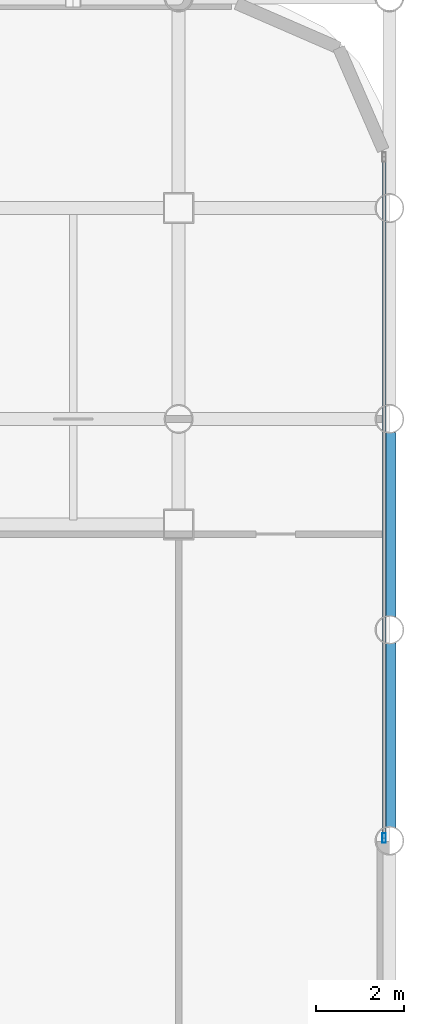
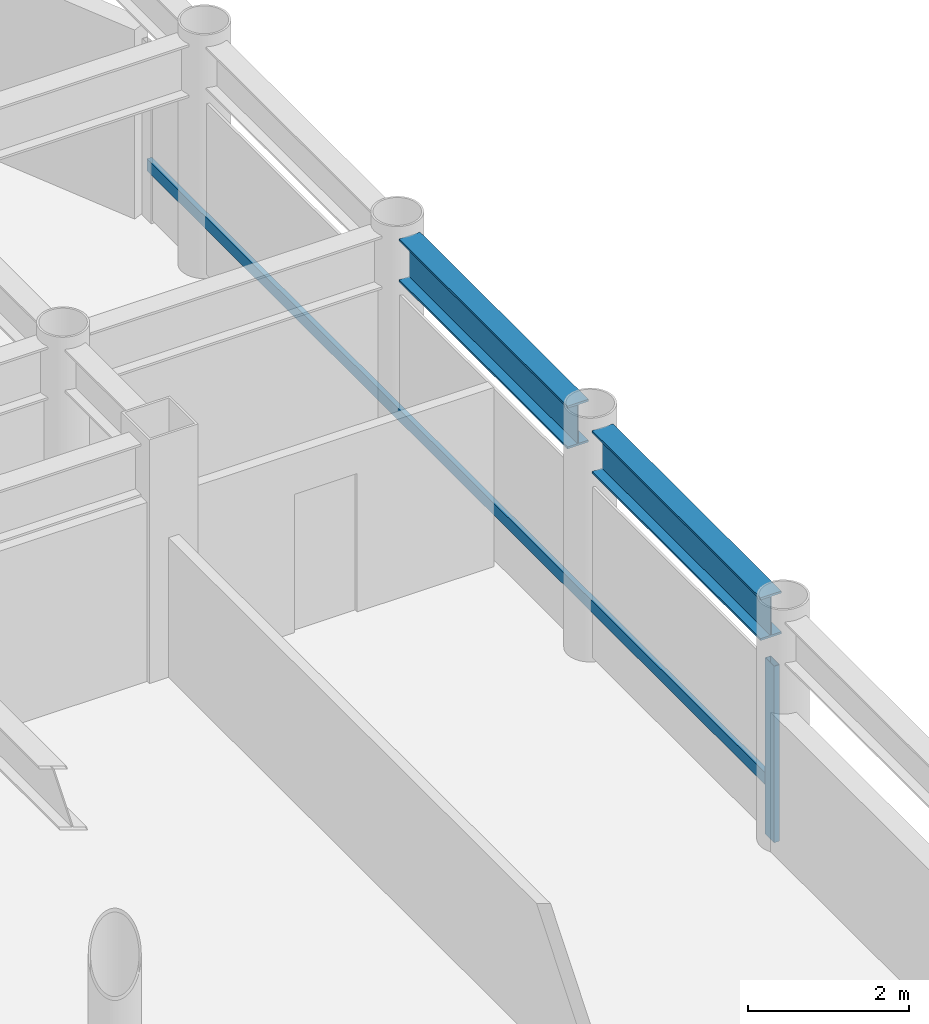
# One storey, part 8 of 20: 2 beams, 2 members, 1 element without a shape of its own.
"""IFC4 building model written with IfcOpenShell, lengths in metres."""

import ifcopenshell
import ifcopenshell.guid

model = None  # the IFC model being written
_history = None  # IfcOwnerHistory: only IFC2X3 demands one
_inside = {}  # id of a spatial element -> (the spatial element, [elements in it])
_under = {}  # id of a project, library or spatial element -> (it, [spatial elements below it])
_declared = {}  # id of a project -> (the project, [libraries it declares])
_typed = {}  # id of a type object -> (the type object, [elements of that type])
_made_of = {}  # id of a material, layer set ... -> (it, [elements and type objects made of it])


def new_model(schema):
    """Start an empty IFC model of exactly this schema.

    Asked for "IFC4X3", IfcOpenShell would pick the latest addendum, in which some entities
    have other attributes; the version numbers below select the first issue.
    IFC2X3 requires an IfcOwnerHistory on every rooted entity: one is made here for all.
    """
    global model, _history
    if schema == "IFC4X3":
        model = ifcopenshell.file(schema_version=(4, 3, 0, 0))
    else:
        model = ifcopenshell.file(schema=schema)
    _inside.clear()
    _under.clear()
    _declared.clear()
    _typed.clear()
    _made_of.clear()
    _history = None
    if model.schema == "IFC2X3":
        org = make("IfcOrganization", Name="unknown")
        user = make(
            "IfcPersonAndOrganization",
            ThePerson=make("IfcPerson", FamilyName="unknown"),
            TheOrganization=org,
        )
        app = make(
            "IfcApplication",
            ApplicationDeveloper=org,
            Version="unknown",
            ApplicationFullName="unknown",
            ApplicationIdentifier="unknown",
        )
        _history = make(
            "IfcOwnerHistory",
            OwningUser=user,
            OwningApplication=app,
            ChangeAction="ADDED",
            CreationDate=0,
        )
    return model


def make(cls, **values):
    """One entity of the class cls with the attributes given. An attribute that is None is left unset."""
    return model.create_entity(
        cls, **{name: value for name, value in values.items() if value is not None}
    )


def rooted(cls, **values):
    """An entity with a GlobalId (a new one), such as an element, a storey or a relation."""
    return make(cls, GlobalId=ifcopenshell.guid.new(), OwnerHistory=_history, **values)


def si_unit(unit_type, name, prefix=None):
    """IfcSIUnit, for example si_unit("LENGTHUNIT", "METRE", prefix="MILLI")."""
    return make("IfcSIUnit", UnitType=unit_type, Prefix=prefix, Name=name)


def assignment(units):
    """IfcUnitAssignment: the units of a project."""
    return None if units is None else make("IfcUnitAssignment", Units=units)


def point(xyz):
    """IfcCartesianPoint."""
    return None if xyz is None else make("IfcCartesianPoint", Coordinates=xyz)


def direction(xyz):
    """IfcDirection."""
    return None if xyz is None else make("IfcDirection", DirectionRatios=xyz)


def frame(location, z_axis=None, x_axis=None):
    """IfcAxis2Placement3D, a coordinate frame: its origin and axes. An axis left out is left unset."""
    return make(
        "IfcAxis2Placement3D",
        Location=point(location),
        Axis=direction(z_axis),
        RefDirection=direction(x_axis),
    )


def frame_2d(location, x_axis=None):
    """IfcAxis2Placement2D, a coordinate frame in the plane: its origin and x axis."""
    return make(
        "IfcAxis2Placement2D", Location=point(location), RefDirection=direction(x_axis)
    )


def origin():
    """The frame at (0, 0, 0) with its axes left unset."""
    return frame((0.0, 0.0, 0.0))


def origin_2d():
    """The frame at (0, 0) in the plane with its x axis left unset."""
    return frame_2d((0.0, 0.0))


def place(relative_to, where):
    """IfcLocalPlacement: puts the frame where relative to a parent placement (None: the world)."""
    return make(
        "IfcLocalPlacement", PlacementRelTo=relative_to, RelativePlacement=where
    )


def context(
    kind, dimensions, precision=None, world=None, true_north=None, identifier=None
):
    """IfcGeometricRepresentationContext, for example the 3D "Model" context."""
    return make(
        "IfcGeometricRepresentationContext",
        ContextIdentifier=identifier,
        ContextType=kind,
        CoordinateSpaceDimension=dimensions,
        Precision=precision,
        WorldCoordinateSystem=world,
        TrueNorth=true_north,
    )


def subcontext(parent, identifier, kind, view, scale=None):
    """IfcGeometricRepresentationSubContext, for example "Body" below "Model"."""
    return make(
        "IfcGeometricRepresentationSubContext",
        ContextIdentifier=identifier,
        ContextType=kind,
        ParentContext=parent,
        TargetScale=scale,
        TargetView=view,
    )


def project(units=None, contexts=None):
    """IfcProject with its units and contexts."""
    return rooted(
        "IfcProject",
        Name="project",
        RepresentationContexts=contexts,
        UnitsInContext=assignment(units),
    )


def spatial(cls, under=None, at=None, **own):
    """A site, building, storey or space (cls), placed at a placement, below another one or the project."""
    s = rooted(cls, ObjectPlacement=at, **own)
    if under is not None:
        _under.setdefault(under.id(), (under, []))[1].append(s)
    return s


def profile(cls, at=None, kind="AREA", **sizes):
    """A parametric profile (cls). Its sizes go by their IFC names, for example OverallWidth=200.0."""
    return make(cls, ProfileType=kind, Position=at, **sizes)


def hollow_rectangle(**sizes):
    """IfcRectangleHollowProfileDef."""
    return profile("IfcRectangleHollowProfileDef", **sizes)


def i_section(**sizes):
    """IfcIShapeProfileDef."""
    return profile("IfcIShapeProfileDef", **sizes)


def extrude(swept, where, along, depth):
    """IfcExtrudedAreaSolid: the profile swept, set in the frame where, extruded along a direction by depth."""
    return make(
        "IfcExtrudedAreaSolid",
        SweptArea=swept,
        Position=where,
        ExtrudedDirection=direction(along),
        Depth=depth,
    )


def shape(context_of_items, identifier, shape_type, items):
    """IfcShapeRepresentation: the items that make up one representation, for example the "Body"."""
    return make(
        "IfcShapeRepresentation",
        ContextOfItems=context_of_items,
        RepresentationIdentifier=identifier,
        RepresentationType=shape_type,
        Items=items,
    )


def material(Name=None, Category=None):
    """IfcMaterial."""
    return make("IfcMaterial", Name=Name, Category=Category)


def layer(
    of_material, thickness, ventilated=None, Name=None, Category=None, Priority=None
):
    """IfcMaterialLayer: one layer of a wall or slab, of a material (None: an air gap)."""
    return make(
        "IfcMaterialLayer",
        Material=of_material,
        LayerThickness=thickness,
        IsVentilated=ventilated,
        Name=Name,
        Category=Category,
        Priority=Priority,
    )


def layer_set(layers, Name=None):
    """IfcMaterialLayerSet."""
    return make("IfcMaterialLayerSet", MaterialLayers=layers, LayerSetName=Name)


def material_profile(
    of_material, cross_section, Name=None, Category=None, Priority=None
):
    """IfcMaterialProfile: a cross section and its material."""
    return make(
        "IfcMaterialProfile",
        Name=Name,
        Material=of_material,
        Profile=cross_section,
        Priority=Priority,
        Category=Category,
    )


def profile_set(profiles, Name=None, composite=None):
    """IfcMaterialProfileSet."""
    return make(
        "IfcMaterialProfileSet",
        Name=Name,
        MaterialProfiles=profiles,
        CompositeProfile=composite,
    )


def made_of(thing, what):
    """Note that an element or type object is made of a material, layer set ...; save() writes the relation."""
    if what is not None:
        _made_of.setdefault(what.id(), (what, []))[1].append(thing)
    return thing


def type_object(cls, material=None, **own):
    """A type object (cls), such as IfcWallType, which elements share."""
    return made_of(rooted(cls, **own), material)


def element(
    cls,
    number,
    at=None,
    inside=None,
    cuts=None,
    type_object=None,
    material=None,
    context=None,
    identifier="Body",
    shape_type=None,
    held_by="IfcProductDefinitionShape",
    body=None,
    shapes=None,
    **own,
):
    """One element of the class cls, such as IfcWall. Its Tag is "e" and its number.

    at: its placement. inside: the storey or other place that contains it. cuts: it is an
    opening in that element (IfcRelVoidsElement). A single representation is given by context,
    identifier, shape_type and body (its items); several are given by shapes. held_by: the class
    of the entity that holds the representations. save() writes the other relations.
    """
    e = rooted(cls, Tag="e%d" % number, ObjectPlacement=at, **own)
    if body is not None:
        shapes = [shape(context, identifier, shape_type, body)]
    if shapes is not None:
        e.Representation = make(held_by, Representations=shapes)
    if inside is not None:
        _inside.setdefault(inside.id(), (inside, []))[1].append(e)
    if cuts is not None:
        rooted(
            "IfcRelVoidsElement", RelatingBuildingElement=cuts, RelatedOpeningElement=e
        )
    if type_object is not None:
        _typed.setdefault(type_object.id(), (type_object, []))[1].append(e)
    return made_of(e, material)


def aggregate(whole, parts):
    """IfcRelAggregates: a whole, such as a stair, and the parts it consists of."""
    return rooted("IfcRelAggregates", RelatingObject=whole, RelatedObjects=parts)


def save(model, path):
    """Write the relations noted so far, then the file.

    IfcRelAggregates (storeys below a building ...), IfcRelContainedInSpatialStructure (elements
    in a storey), IfcRelDefinesByType, IfcRelAssociatesMaterial and IfcRelDeclares: one each for
    every whole, place, type object, material and project.
    """
    for whole, parts in _under.values():
        aggregate(whole, parts)
    for where, things in _inside.values():
        rooted(
            "IfcRelContainedInSpatialStructure",
            RelatedElements=things,
            RelatingStructure=where,
        )
    for kind, things in _typed.values():
        rooted("IfcRelDefinesByType", RelatedObjects=things, RelatingType=kind)
    for what, things in _made_of.values():
        rooted("IfcRelAssociatesMaterial", RelatedObjects=things, RelatingMaterial=what)
    for by, libraries in _declared.values():
        rooted("IfcRelDeclares", RelatingContext=by, RelatedDefinitions=libraries)
    model.write(path)


model = new_model("IFC4")

# Units and contexts
model_context = context("Model", 3, precision=1e-05, world=origin(), true_north=direction((0.0, 1.0)))
body_context = subcontext(model_context, "Body", "Model", "MODEL_VIEW")
ifc_project = project(units=[si_unit("LENGTHUNIT", "METRE"), si_unit("AREAUNIT", "SQUARE_METRE"), si_unit("VOLUMEUNIT", "CUBIC_METRE"), si_unit("PLANEANGLEUNIT", "RADIAN"), si_unit("MASSUNIT", "GRAM", prefix="KILO")], contexts=[model_context])

# Site, building, storey
site_placement = place(None, origin())
site = spatial("IfcSite", under=ifc_project, at=site_placement, CompositionType="ELEMENT")
building_placement = place(site_placement, origin())
building = spatial("IfcBuilding", under=site, at=building_placement, Name="Kallvorn Hotel Tower", CompositionType="ELEMENT")
storey_placement = place(building_placement, frame((0.0, 0.0, 158.10009765625)))
storey = spatial("IfcBuildingStorey", under=building, at=storey_placement, Name="L39", CompositionType="ELEMENT", Elevation=158.10009765625)

# Beams
ifc_material_1 = material(Name="Structural steel S355JR", Category="steel")
ifc_material_profile_1 = material_profile(ifc_material_1, i_section(OverallWidth=0.300048828125, OverallDepth=0.64990234375, WebThickness=0.01611328125, FlangeThickness=0.031005859375, at=origin_2d()), Name="HE 650 B")
ifc_profile_set_1 = profile_set([ifc_material_profile_1], Name="Structural steel S355JR")
beam_type = type_object("IfcBeamType", Name="BM_HE650B", PredefinedType="BEAM", material=ifc_profile_set_1)
beam_1_placement = place(storey_placement, frame((28.800048828125, 0.304931640625, 3.19482421875), z_axis=(0.0, 1.0, 0.0), x_axis=(-1.0, 0.0, 0.0)))
element("IfcBeam", 1, at=beam_1_placement, inside=storey, type_object=beam_type, Name="L40 Primary Y-Girder 147", PredefinedType="BEAM", context=body_context, shape_type="SweptSolid", body=[
    extrude(i_section(OverallWidth=0.300048828125, OverallDepth=0.64990234375, WebThickness=0.01611328125, FlangeThickness=0.031005859375, at=origin_2d()), origin(), (0.0, 0.0, 1.0), 4.190185546875),
])
beam_2_placement = place(storey_placement, frame((28.800048828125, 5.10498046875, 3.19482421875), z_axis=(0.0, 1.0, 0.0), x_axis=(-1.0, 0.0, 0.0)))
element("IfcBeam", 2, at=beam_2_placement, inside=storey, type_object=beam_type, Name="L40 Primary Y-Girder 148", PredefinedType="BEAM", context=body_context, shape_type="SweptSolid", body=[
    extrude(i_section(OverallWidth=0.300048828125, OverallDepth=0.64990234375, WebThickness=0.01611328125, FlangeThickness=0.031005859375, at=origin_2d()), origin(), (0.0, 0.0, 1.0), 4.18994140625),
])

# Curtain wall, members
ifc_material_2 = material(Name="Thermally broken black-anodised aluminium AA 6063-T6", Category="aluminium")
ifc_layer = layer(ifc_material_2, 0.2099609375)
ifc_layer_set = layer_set([ifc_layer], Name="CW_SYS_4_HOTEL_MID")
curtain_wall_type = type_object("IfcCurtainWallType", Name="CW_SYS_4_HOTEL_MID", PredefinedType="USERDEFINED", material=ifc_layer_set)
curtain_wall_placement = place(storey_placement, origin())
curtain_wall = element("IfcCurtainWall", 3, at=curtain_wall_placement, inside=storey, type_object=curtain_wall_type, Name="L39 Dark-Glass Curtain Wall CW-L39-EN", ObjectType="UNITISED CURTAIN WALL", PredefinedType="USERDEFINED")
ifc_material_3 = material(Name="Thermally broken black-anodised aluminium AA 6063-T6", Category="aluminium")
ifc_material_profile_2 = material_profile(ifc_material_3, hollow_rectangle(XDim=0.080078125, YDim=0.219970703125, WallThickness=0.0048828125, at=origin_2d()), Name="MUL 220x80")
ifc_profile_set_2 = profile_set([ifc_material_profile_2], Name="Thermally broken black-anodised aluminium AA 6063-T6")
member_type_1 = type_object("IfcMemberType", Name="CW_MULLION_220x80", PredefinedType="MULLION", material=ifc_profile_set_2)
member_1_placement = place(storey_placement, frame((28.679931640625, 0.06005859375, 0.02001953125), z_axis=(0.0, 0.0, 1.0), x_axis=(1.0, 0.0, 0.0)))
member_1 = element("IfcMember", 4, at=member_1_placement, type_object=member_type_1, Name="CW-L39-EN Mullion 00", PredefinedType="MULLION", context=body_context, shape_type="SweptSolid", body=[
    extrude(hollow_rectangle(XDim=0.080078125, YDim=0.219970703125, WallThickness=0.0048828125, at=origin_2d()), origin(), (0.0, 0.0, 1.0), 2.679931640625),
])
ifc_material_4 = material(Name="Thermally broken black-anodised aluminium AA 6063-T6", Category="aluminium")
ifc_material_profile_3 = material_profile(ifc_material_4, hollow_rectangle(XDim=0.070068359375, YDim=0.179931640625, WallThickness=0.00390625, at=origin_2d()), Name="TRN 180x70")
ifc_profile_set_3 = profile_set([ifc_material_profile_3], Name="Thermally broken black-anodised aluminium AA 6063-T6")
member_type_2 = type_object("IfcMemberType", Name="CW_TRANSOM_180x70", PredefinedType="USERDEFINED", material=ifc_profile_set_3)
member_2_placement = place(storey_placement, frame((28.679931640625, 0.06005859375, 0.849853515625), z_axis=(0.0, 1.0, 0.0), x_axis=(-1.0, 0.0, 0.0)))
member_2 = element("IfcMember", 5, at=member_2_placement, type_object=member_type_2, Name="CW-L39-EN Transom 00M", ObjectType="TRANSOM", PredefinedType="USERDEFINED", context=body_context, shape_type="SweptSolid", body=[
    extrude(hollow_rectangle(XDim=0.070068359375, YDim=0.179931640625, WallThickness=0.00390625, at=origin_2d()), origin(), (0.0, 0.0, 1.0), 15.5),
])
aggregate(curtain_wall, [member_1, member_2])

save(model, "model.ifc")
